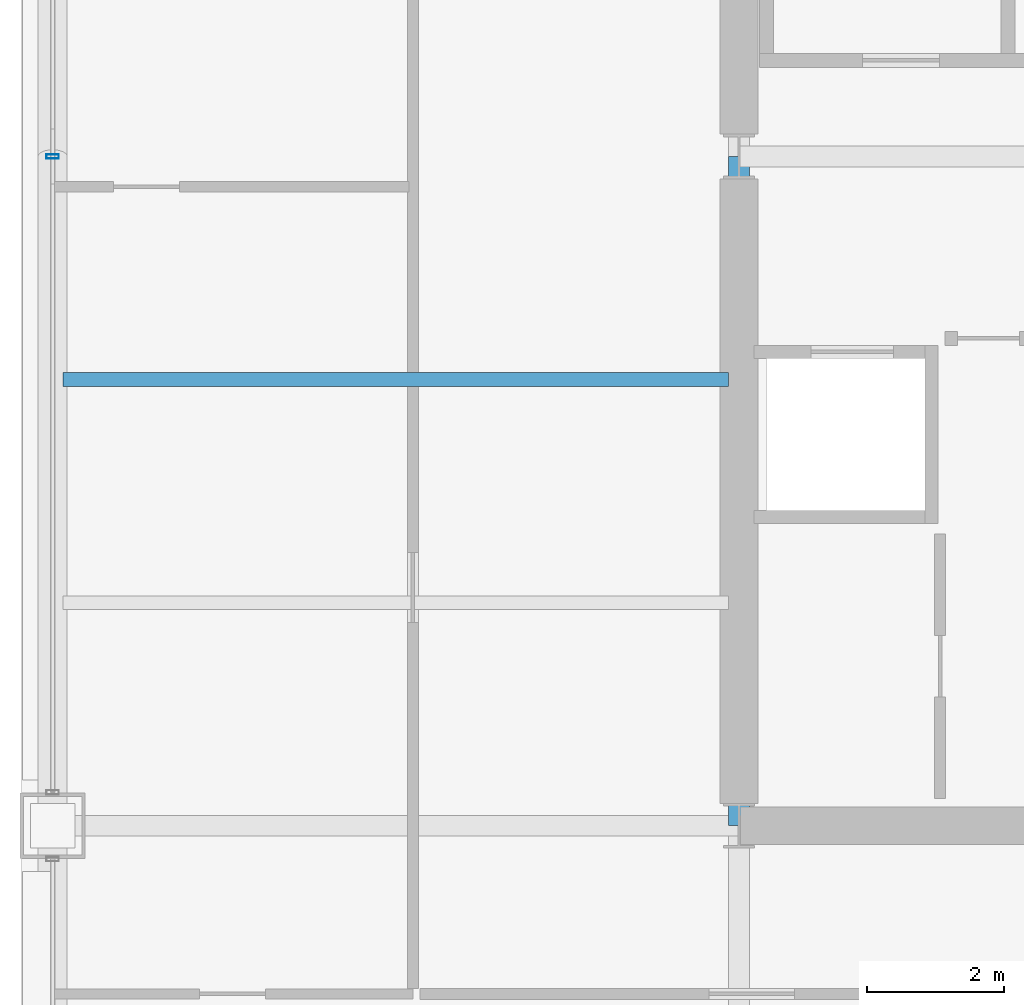
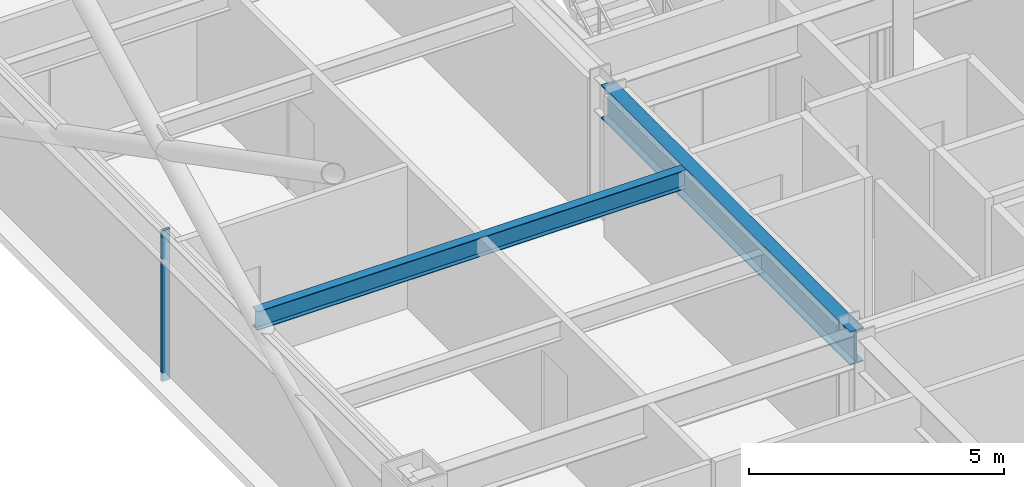
# One storey, part 9 of 34: 2 beams, 1 member, 1 element without a shape of its own.
"""IFC4 building model written with IfcOpenShell, lengths in metres."""

from ifc_helpers import new_model, si_unit, direction, frame, origin, origin_2d, place, context, subcontext, project, spatial, hollow_rectangle, i_section, extrude, material, layer, layer_set, material_profile, profile_set, type_object, element, aggregate, save


model = new_model("IFC4")

# Units and contexts
model_context = context("Model", 3, precision=1e-05, world=origin(), true_north=direction((0.0, 1.0)))
body_context = subcontext(model_context, "Body", "Model", "MODEL_VIEW")
ifc_project = project(units=[si_unit("LENGTHUNIT", "METRE"), si_unit("AREAUNIT", "SQUARE_METRE"), si_unit("VOLUMEUNIT", "CUBIC_METRE"), si_unit("PLANEANGLEUNIT", "RADIAN"), si_unit("MASSUNIT", "GRAM", prefix="KILO")], contexts=[model_context])

# Site, building, storey
site_placement = place(None, origin())
site = spatial("IfcSite", under=ifc_project, at=site_placement, CompositionType="ELEMENT")
building_placement = place(site_placement, origin())
building = spatial("IfcBuilding", under=site, at=building_placement, Name="Brelmoor Portico Tower", CompositionType="ELEMENT")
storey_placement = place(building_placement, frame((0.0, 0.0, 45.60009765625)))
storey = spatial("IfcBuildingStorey", under=building, at=storey_placement, Name="L11", CompositionType="ELEMENT", Elevation=45.60009765625)

# Beams
ifc_material_1 = material(Name="Steel Q355B", Category="steel")
ifc_material_profile_1 = material_profile(ifc_material_1, i_section(OverallWidth=0.199951171875, OverallDepth=0.449951171875, WebThickness=0.009033203125, FlangeThickness=0.013916015625, at=origin_2d()), Name="HN 450x200x9x14")
ifc_profile_set_1 = profile_set([ifc_material_profile_1], Name="Steel Q355B")
beam_type_1 = type_object("IfcBeamType", Name="BM-JS-450", PredefinedType="JOIST", material=ifc_profile_set_1)
beam_1_placement = place(storey_placement, frame((-24.39990234375, -3.25, 3.1748046875), z_axis=(1.0, 0.0, 0.0), x_axis=(0.0, 1.0, 0.0)))
element("IfcBeam", 1, at=beam_1_placement, inside=storey, type_object=beam_type_1, Name="L11 Secondary Wing Joist JS-W06", PredefinedType="JOIST", context=body_context, shape_type="SweptSolid", body=[
    extrude(i_section(OverallWidth=0.199951171875, OverallDepth=0.449951171875, WebThickness=0.009033203125, FlangeThickness=0.013916015625, at=origin_2d()), origin(), (0.0, 0.0, 1.0), 9.699951171875),
])
ifc_material_profile_2 = material_profile(ifc_material_1, i_section(OverallWidth=0.300048828125, OverallDepth=0.800048828125, WebThickness=0.013916015625, FlangeThickness=0.02587890625, at=origin_2d()), Name="HN 800x300x14x26")
ifc_profile_set_2 = profile_set([ifc_material_profile_2], Name="Steel Q355B")
beam_type_2 = type_object("IfcBeamType", Name="BM-PG-800", PredefinedType="BEAM", material=ifc_profile_set_2)
beam_2_placement = place(storey_placement, frame((-14.550048828125, -9.75, 3.0), z_axis=(0.0, 1.0, 0.0), x_axis=(-1.0, 0.0, 0.0)))
element("IfcBeam", 2, at=beam_2_placement, inside=storey, type_object=beam_type_2, Name="L11 Primary Floor Girder PG-04", PredefinedType="BEAM", context=body_context, shape_type="SweptSolid", body=[
    extrude(i_section(OverallWidth=0.300048828125, OverallDepth=0.800048828125, WebThickness=0.013916015625, FlangeThickness=0.02587890625, at=origin_2d()), origin(), (0.0, 0.0, 1.0), 9.75),
])

# Curtain wall, member
ifc_material_2 = material(Name="Anodised Aluminium Alloy 6063-T6", Category="aluminium")
ifc_layer = layer(ifc_material_2, 0.179931640625)
ifc_layer_set = layer_set([ifc_layer], Name="Anodised Aluminium Alloy 6063-T6")
curtain_wall_type = type_object("IfcCurtainWallType", Name="CW-TOWER-Z1-XB", PredefinedType="NOTDEFINED", material=ifc_layer_set)
curtain_wall_placement = place(storey_placement, origin())
curtain_wall = element("IfcCurtainWall", 3, at=curtain_wall_placement, inside=storey, type_object=curtain_wall_type, Name="L11 Curtain Wall CW-L11-03-2", PredefinedType="NOTDEFINED")
ifc_material_profile_3 = material_profile(ifc_material_2, hollow_rectangle(XDim=0.06494140625, YDim=0.179931640625, WallThickness=0.00390625, at=origin_2d()), Name="ALU MULLION 65x180")
ifc_profile_set_3 = profile_set([ifc_material_profile_3], Name="Anodised Aluminium Alloy 6063-T6")
member_type = type_object("IfcMemberType", Name="MB-CW-MULL-180", PredefinedType="MULLION", material=ifc_profile_set_3)
member_placement = place(storey_placement, frame((-24.550048828125, 0.0, -0.2001953125), z_axis=(0.0, 0.0, 1.0), x_axis=(0.0, 1.0, 0.0)))
member = element("IfcMember", 4, at=member_placement, type_object=member_type, Name="CW-L11-03-2 Mullion 01", PredefinedType="MULLION", context=body_context, shape_type="SweptSolid", body=[
    extrude(hollow_rectangle(XDim=0.06494140625, YDim=0.179931640625, WallThickness=0.00390625, at=origin_2d()), origin(), (0.0, 0.0, 1.0), 3.60009765625),
])
aggregate(curtain_wall, [member])

save(model, "model.ifc")
